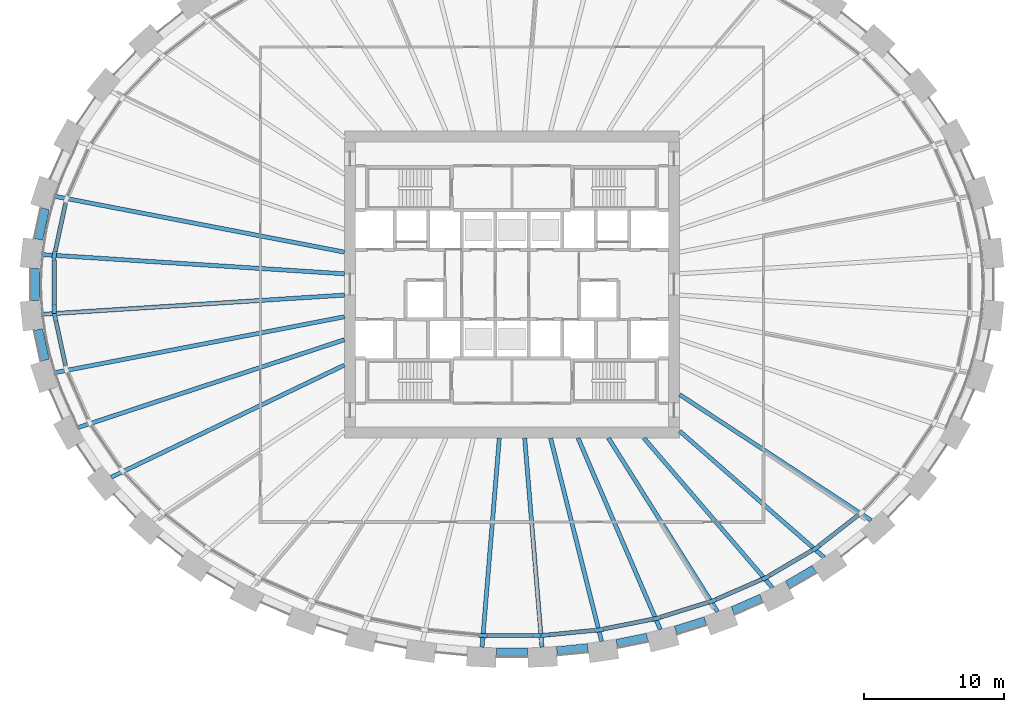
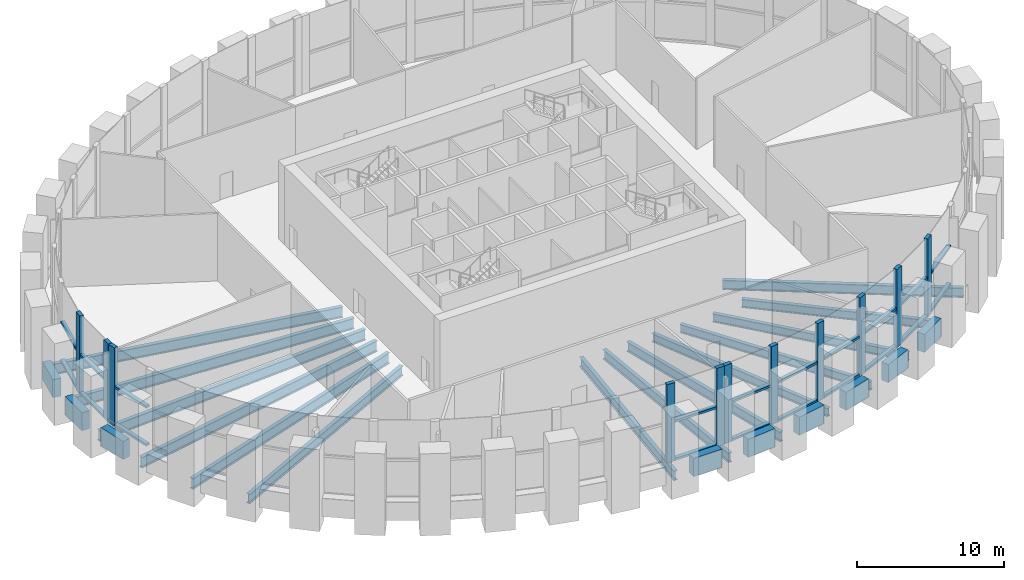
# One storey, part 2 of 16: 31 members, 23 beams, 3 elements without a shape of their own.
"""IFC4 building model written with IfcOpenShell, lengths in metres."""

from ifc_helpers import new_model, si_unit, direction, frame, origin, origin_2d, place, context, subcontext, project, spatial, rectangle, i_section, extrude, source, transform, mapped, material, material_profile, profile_set, type_object, element, aggregate, save


model = new_model("IFC4")

# Units and contexts
model_context = context("Model", 3, precision=1e-05, world=origin(), true_north=direction((0.0, 1.0)))
body_context = subcontext(model_context, "Body", "Model", "MODEL_VIEW")
ifc_project = project(units=[si_unit("LENGTHUNIT", "METRE"), si_unit("AREAUNIT", "SQUARE_METRE"), si_unit("VOLUMEUNIT", "CUBIC_METRE"), si_unit("PLANEANGLEUNIT", "RADIAN"), si_unit("MASSUNIT", "GRAM", prefix="KILO")], contexts=[model_context])

# Site, building, storey
site_placement = place(None, origin())
site = spatial("IfcSite", under=ifc_project, at=site_placement, CompositionType="ELEMENT")
building_placement = place(site_placement, origin())
building = spatial("IfcBuilding", under=site, at=building_placement, Name="Embergate Tower", CompositionType="ELEMENT")
storey_placement = place(building_placement, frame((0.0, 0.0, 234.60009765625)))
storey = spatial("IfcBuildingStorey", under=building, at=storey_placement, Name="L54", CompositionType="ELEMENT", Elevation=234.60009765625)

# Beams
ifc_material_1 = material(Name="Concrete C60", Category="concrete")
ifc_material_profile_1 = material_profile(ifc_material_1, rectangle(XDim=0.60009765625, YDim=1.5, at=origin_2d()), Name="RC 600x1500")
ifc_profile_set_1 = profile_set([ifc_material_profile_1], Name="Concrete C60")
beam_type_1 = type_object("IfcBeamType", Name="Spandrel beam RC 600x1500 C60", PredefinedType="BEAM", material=ifc_profile_set_1)
shared_shape_1 = source(origin(), body_context, "Body", "SweptSolid", [
    extrude(rectangle(XDim=0.60009765625, YDim=1.5, at=origin_2d()), origin(), (0.0, 0.0, 1.0), 2.256591796875),
])
for number, where, z_axis, x_axis, name in (
    (1, (-33.419921875, 5.423095703125, 0.0), (-0.210533806933, -0.977586577311, 0.0), (0.977586577311, -0.210533806933, 0.0), "SPN-L54-20"),
    (2, (-33.89501953125, -3.217041015625, 0.0), (0.210533806933, -0.977586577311, 0.0), (0.977586577311, 0.210533806933, 0.0), "SPN-L54-22"),
):
    element("IfcBeam", number, at=place(storey_placement, frame(where, z_axis=z_axis, x_axis=x_axis)), inside=storey, type_object=beam_type_1, Name=name, PredefinedType="BEAM", context=body_context, shape_type="MappedRepresentation", body=[
        mapped(shared_shape_1, transform((0.0, 0.0, 0.0))),
    ])
shared_shape_2 = source(origin(), body_context, "Body", "SweptSolid", [
    extrude(rectangle(XDim=0.60009765625, YDim=1.5, at=origin_2d()), origin(), (0.0, 0.0, 1.0), 2.230224609375),
])
beam_1_placement = place(storey_placement, frame((19.717041015625, -21.501953125, 0.0), z_axis=(0.862170504971, 0.506618219528, 0.0), x_axis=(-0.506618219528, 0.862170504971, 0.0)))
element("IfcBeam", 3, at=beam_1_placement, inside=storey, type_object=beam_type_1, Name="SPN-L54-37", PredefinedType="BEAM", context=body_context, shape_type="MappedRepresentation", body=[
    mapped(shared_shape_2, transform((0.0, 0.0, 0.0))),
])
shared_shape_3 = source(origin(), body_context, "Body", "SweptSolid", [
    extrude(rectangle(XDim=0.60009765625, YDim=1.5, at=origin_2d()), origin(), (0.0, 0.0, 1.0), 2.2275390625),
])
beam_2_placement = place(storey_placement, frame((15.805908203125, -23.34912109375, 0.0), z_axis=(0.916298147751, 0.400496821995, 0.0), x_axis=(-0.400496821995, 0.916298147751, 0.0)))
element("IfcBeam", 4, at=beam_2_placement, inside=storey, type_object=beam_type_1, Name="SPN-L54-36", PredefinedType="BEAM", context=body_context, shape_type="MappedRepresentation", body=[
    mapped(shared_shape_3, transform((0.0, 0.0, 0.0))),
])
shared_shape_4 = source(origin(), body_context, "Body", "SweptSolid", [
    extrude(rectangle(XDim=0.60009765625, YDim=1.5, at=origin_2d()), origin(), (0.0, 0.0, 1.0), 2.225830078125),
])
beam_3_placement = place(storey_placement, frame((11.714111328125, -24.7451171875, 0.0), z_axis=(0.954729467786, 0.297475449981, 0.0), x_axis=(-0.297475449981, 0.954729467786, 0.0)))
element("IfcBeam", 5, at=beam_3_placement, inside=storey, type_object=beam_type_1, Name="SPN-L54-35", PredefinedType="BEAM", context=body_context, shape_type="MappedRepresentation", body=[
    mapped(shared_shape_4, transform((0.0, 0.0, 0.0))),
])
shared_shape_5 = source(origin(), body_context, "Body", "SweptSolid", [
    extrude(rectangle(XDim=0.60009765625, YDim=1.5, at=origin_2d()), origin(), (0.0, 0.0, 1.0), 2.223388671875),
])
beam_4_placement = place(storey_placement, frame((7.4990234375, -25.701904296875, 0.0), z_axis=(0.980491882867, 0.196559577817, 0.0), x_axis=(-0.196559577817, 0.980491882867, 0.0)))
element("IfcBeam", 6, at=beam_4_placement, inside=storey, type_object=beam_type_1, Name="SPN-L54-34", PredefinedType="BEAM", context=body_context, shape_type="MappedRepresentation", body=[
    mapped(shared_shape_5, transform((0.0, 0.0, 0.0))),
])
shared_shape_6 = source(origin(), body_context, "Body", "SweptSolid", [
    extrude(rectangle(XDim=0.60009765625, YDim=1.5, at=origin_2d()), origin(), (0.0, 0.0, 1.0), 2.223876953125),
])
beam_5_placement = place(storey_placement, frame((3.208984375, -26.22900390625, 0.0), z_axis=(0.99518284786, 0.098036214356, 0.0), x_axis=(-0.098036214356, 0.99518284786, 0.0)))
element("IfcBeam", 7, at=beam_5_placement, inside=storey, type_object=beam_type_1, Name="SPN-L54-33", PredefinedType="BEAM", context=body_context, shape_type="MappedRepresentation", body=[
    mapped(shared_shape_6, transform((0.0, 0.0, 0.0))),
])
shared_shape_7 = source(origin(), body_context, "Body", "SweptSolid", [
    extrude(rectangle(XDim=0.60009765625, YDim=1.5, at=origin_2d()), origin(), (0.0, 0.0, 1.0), 2.22216796875),
])
beam_6_placement = place(storey_placement, frame((-1.111083984375, -26.33203125, 0.0), z_axis=(1.0, 0.0, 0.0), x_axis=(0.0, 1.0, 0.0)))
element("IfcBeam", 8, at=beam_6_placement, inside=storey, type_object=beam_type_1, Name="SPN-L54-32", PredefinedType="BEAM", context=body_context, shape_type="MappedRepresentation", body=[
    mapped(shared_shape_7, transform((0.0, 0.0, 0.0))),
])
shared_shape_8 = source(origin(), body_context, "Body", "SweptSolid", [
    extrude(rectangle(XDim=0.60009765625, YDim=1.5, at=origin_2d()), origin(), (0.0, 0.0, 1.0), 2.26220703125),
])
beam_7_placement = place(storey_placement, frame((-34.136962890625, 1.131103515625, 0.0), z_axis=(0.0, -1.0, 0.0), x_axis=(1.0, 0.0, 0.0)))
element("IfcBeam", 9, at=beam_7_placement, inside=storey, type_object=beam_type_1, Name="SPN-L54-21", PredefinedType="BEAM", context=body_context, shape_type="MappedRepresentation", body=[
    mapped(shared_shape_8, transform((0.0, 0.0, 0.0))),
])
ifc_material_2 = material(Name="Steel Q355B", Category="steel")
ifc_material_profile_2 = material_profile(ifc_material_2, i_section(OverallWidth=0.300048828125, OverallDepth=0.89990234375, WebThickness=0.01611328125, FlangeThickness=0.028076171875, FilletRadius=0.028076171875, at=origin_2d()), Name="HN 900x300x16x28")
ifc_profile_set_2 = profile_set([ifc_material_profile_2], Name="Steel Q355 grade B")
beam_type_2 = type_object("IfcBeamType", Name="Radial girder HN 900x300x16x28", PredefinedType="BEAM", material=ifc_profile_set_2)
shared_shape_9 = source(origin(), body_context, "Body", "SweptSolid", [
    extrude(i_section(OverallWidth=0.300048828125, OverallDepth=0.89990234375, WebThickness=0.01611328125, FlangeThickness=0.028076171875, FilletRadius=0.028076171875, at=origin_2d()), origin(), (0.0, 0.0, 1.0), 21.7607421875),
])
for number, where, z_axis, x_axis, name in (
    (10, (-33.717041015625, 2.14208984375, -0.75), (0.997986768436, -0.063422472564, 0.0), (0.063422472564, 0.997986768436, 0.0), "GIR-L54-21"),
    (11, (-33.717041015625, -2.14208984375, -0.75), (0.997986768436, 0.063422472564, 0.0), (-0.063422472564, 0.997986768436, 0.0), "GIR-L54-22"),
):
    element("IfcBeam", number, at=place(storey_placement, frame(where, z_axis=z_axis, x_axis=x_axis)), inside=storey, type_object=beam_type_2, Name=name, PredefinedType="BEAM", context=body_context, shape_type="MappedRepresentation", body=[
        mapped(shared_shape_9, transform((0.0, 0.0, 0.0))),
    ])
shared_shape_10 = source(origin(), body_context, "Body", "SweptSolid", [
    extrude(i_section(OverallWidth=0.300048828125, OverallDepth=0.89990234375, WebThickness=0.01611328125, FlangeThickness=0.028076171875, FilletRadius=0.028076171875, at=origin_2d()), origin(), (0.0, 0.0, 1.0), 21.19873046875),
])
for number, where, z_axis, x_axis, name in (
    (12, (-32.81494140625, 6.330078125, -0.75), (0.981899006526, -0.189405229554, 0.0), (0.189405229554, 0.981899006526, 0.0), "GIR-L54-20"),
    (13, (-32.81494140625, -6.330078125, -0.75), (0.981899006526, 0.189405229554, 0.0), (-0.189405229554, 0.981899006526, 0.0), "GIR-L54-23"),
):
    element("IfcBeam", number, at=place(storey_placement, frame(where, z_axis=z_axis, x_axis=x_axis)), inside=storey, type_object=beam_type_2, Name=name, PredefinedType="BEAM", context=body_context, shape_type="MappedRepresentation", body=[
        mapped(shared_shape_10, transform((0.0, 0.0, 0.0))),
    ])
shared_shape_11 = source(origin(), body_context, "Body", "SweptSolid", [
    extrude(i_section(OverallWidth=0.300048828125, OverallDepth=0.89990234375, WebThickness=0.01611328125, FlangeThickness=0.028076171875, FilletRadius=0.028076171875, at=origin_2d()), origin(), (0.0, 0.0, 1.0), 20.1064453125),
])
beam_8_placement = place(storey_placement, frame((-31.094970703125, -10.25390625, -0.75), z_axis=(0.949694718682, 0.313177172391, 0.0), x_axis=(-0.313177172391, 0.949694718682, 0.0)))
element("IfcBeam", 14, at=beam_8_placement, inside=storey, type_object=beam_type_2, Name="GIR-L54-24", PredefinedType="BEAM", context=body_context, shape_type="MappedRepresentation", body=[
    mapped(shared_shape_11, transform((0.0, 0.0, 0.0))),
])
ifc_material_profile_3 = material_profile(ifc_material_2, i_section(OverallWidth=0.300048828125, OverallDepth=0.800048828125, WebThickness=0.013916015625, FlangeThickness=0.02587890625, FilletRadius=0.028076171875, at=origin_2d()), Name="HN 800x300x14x26")
ifc_profile_set_3 = profile_set([ifc_material_profile_3], Name="Steel Q355 grade B")
beam_type_3 = type_object("IfcBeamType", Name="Radial girder HN 800x300x14x26", PredefinedType="BEAM", material=ifc_profile_set_3)
shared_shape_12 = source(origin(), body_context, "Body", "SweptSolid", [
    extrude(i_section(OverallWidth=0.300048828125, OverallDepth=0.800048828125, WebThickness=0.013916015625, FlangeThickness=0.02587890625, FilletRadius=0.028076171875, at=origin_2d()), origin(), (0.0, 0.0, 1.0), 18.51513671875),
])
beam_9_placement = place(storey_placement, frame((-28.68505859375, -13.799072265625, -0.7001953125), z_axis=(0.901158330665, 0.433490095704, 0.0), x_axis=(-0.433490095704, 0.901158330665, 0.0)))
element("IfcBeam", 15, at=beam_9_placement, inside=storey, type_object=beam_type_3, Name="GIR-L54-25", PredefinedType="BEAM", context=body_context, shape_type="MappedRepresentation", body=[
    mapped(shared_shape_12, transform((0.0, 0.0, 0.0))),
])
shared_shape_13 = source(origin(), body_context, "Body", "SweptSolid", [
    extrude(i_section(OverallWidth=0.300048828125, OverallDepth=0.800048828125, WebThickness=0.013916015625, FlangeThickness=0.02587890625, FilletRadius=0.028076171875, at=origin_2d()), origin(), (0.0, 0.0, 1.0), 16.423583984375),
])
beam_10_placement = place(storey_placement, frame((25.72607421875, -16.902099609375, -0.7001953125), z_axis=(-0.835759275687, 0.549096014466, 0.0), x_axis=(-0.549096014466, -0.835759275687, 0.0)))
element("IfcBeam", 16, at=beam_10_placement, inside=storey, type_object=beam_type_3, Name="GIR-L54-39", PredefinedType="BEAM", context=body_context, shape_type="MappedRepresentation", body=[
    mapped(shared_shape_13, transform((0.0, 0.0, 0.0))),
])
ifc_material_profile_4 = material_profile(ifc_material_2, i_section(OverallWidth=0.300048828125, OverallDepth=0.699951171875, WebThickness=0.012939453125, FlangeThickness=0.02392578125, FilletRadius=0.01806640625, at=origin_2d()), Name="HN 700x300x13x24")
ifc_profile_set_4 = profile_set([ifc_material_profile_4], Name="Steel Q355 grade B")
beam_type_4 = type_object("IfcBeamType", Name="Radial girder HN 700x300x13x24", PredefinedType="BEAM", material=ifc_profile_set_4)
shared_shape_14 = source(origin(), body_context, "Body", "SweptSolid", [
    extrude(i_section(OverallWidth=0.300048828125, OverallDepth=0.699951171875, WebThickness=0.012939453125, FlangeThickness=0.02392578125, FilletRadius=0.01806640625, at=origin_2d()), origin(), (0.0, 0.0, 1.0), 13.742431640625),
])
beam_11_placement = place(storey_placement, frame((22.344970703125, -19.5400390625, -0.650146484375), z_axis=(-0.75278245611, 0.658269377818, 0.0), x_axis=(-0.658269377818, -0.75278245611, 0.0)))
element("IfcBeam", 17, at=beam_11_placement, inside=storey, type_object=beam_type_4, Name="GIR-L54-38", PredefinedType="BEAM", context=body_context, shape_type="MappedRepresentation", body=[
    mapped(shared_shape_14, transform((0.0, 0.0, 0.0))),
])
shared_shape_15 = source(origin(), body_context, "Body", "SweptSolid", [
    extrude(i_section(OverallWidth=0.300048828125, OverallDepth=0.699951171875, WebThickness=0.012939453125, FlangeThickness=0.02392578125, FilletRadius=0.01806640625, at=origin_2d()), origin(), (0.0, 0.0, 1.0), 14.12255859375),
])
beam_12_placement = place(storey_placement, frame((18.64697265625, -21.714111328125, -0.650146484375), z_axis=(-0.651501489493, 0.75864735496, 0.0), x_axis=(-0.75864735496, -0.651501489493, 0.0)))
element("IfcBeam", 18, at=beam_12_placement, inside=storey, type_object=beam_type_4, Name="GIR-L54-37", PredefinedType="BEAM", context=body_context, shape_type="MappedRepresentation", body=[
    mapped(shared_shape_15, transform((0.0, 0.0, 0.0))),
])
shared_shape_16 = source(origin(), body_context, "Body", "SweptSolid", [
    extrude(i_section(OverallWidth=0.300048828125, OverallDepth=0.699951171875, WebThickness=0.012939453125, FlangeThickness=0.02392578125, FilletRadius=0.01806640625, at=origin_2d()), origin(), (0.0, 0.0, 1.0), 14.681640625),
])
beam_13_placement = place(storey_placement, frame((14.717041015625, -23.43310546875, -0.650146484375), z_axis=(-0.531830261052, 0.846850974747, 0.0), x_axis=(-0.846850974747, -0.531830261052, 0.0)))
element("IfcBeam", 19, at=beam_13_placement, inside=storey, type_object=beam_type_4, Name="GIR-L54-36", PredefinedType="BEAM", context=body_context, shape_type="MappedRepresentation", body=[
    mapped(shared_shape_16, transform((0.0, 0.0, 0.0))),
])
shared_shape_17 = source(origin(), body_context, "Body", "SweptSolid", [
    extrude(i_section(OverallWidth=0.300048828125, OverallDepth=0.699951171875, WebThickness=0.012939453125, FlangeThickness=0.02392578125, FilletRadius=0.01806640625, at=origin_2d()), origin(), (0.0, 0.0, 1.0), 14.921630859375),
])
beam_14_placement = place(storey_placement, frame((10.62109375, -24.708984375, -0.650146484375), z_axis=(-0.394870881209, 0.918736625575, 0.0), x_axis=(-0.918736625575, -0.394870881209, 0.0)))
element("IfcBeam", 20, at=beam_14_placement, inside=storey, type_object=beam_type_4, Name="GIR-L54-35", PredefinedType="BEAM", context=body_context, shape_type="MappedRepresentation", body=[
    mapped(shared_shape_17, transform((0.0, 0.0, 0.0))),
])
shared_shape_18 = source(origin(), body_context, "Body", "SweptSolid", [
    extrude(i_section(OverallWidth=0.300048828125, OverallDepth=0.800048828125, WebThickness=0.013916015625, FlangeThickness=0.02587890625, FilletRadius=0.028076171875, at=origin_2d()), origin(), (0.0, 0.0, 1.0), 15.00341796875),
])
beam_15_placement = place(storey_placement, frame((6.4150390625, -25.552001953125, -0.7001953125), z_axis=(-0.243481212882, 0.969905613435, 0.0), x_axis=(-0.969905613435, -0.243481212882, 0.0)))
element("IfcBeam", 21, at=beam_15_placement, inside=storey, type_object=beam_type_3, Name="GIR-L54-34", PredefinedType="BEAM", context=body_context, shape_type="MappedRepresentation", body=[
    mapped(shared_shape_18, transform((0.0, 0.0, 0.0))),
])
shared_shape_19 = source(origin(), body_context, "Body", "SweptSolid", [
    extrude(i_section(OverallWidth=0.300048828125, OverallDepth=0.800048828125, WebThickness=0.013916015625, FlangeThickness=0.02587890625, FilletRadius=0.028076171875, at=origin_2d()), origin(), (0.0, 0.0, 1.0), 15.02294921875),
])
for number, where, z_axis, x_axis, name in (
    (22, (-2.14501953125, -25.971923828125, -0.7001953125), (0.08234475307, 0.996603904087, 0.0), (-0.996603904087, 0.08234475307, 0.0), "GIR-L54-32"),
    (23, (2.14501953125, -25.971923828125, -0.7001953125), (-0.08234475307, 0.996603904087, 0.0), (-0.996603904087, -0.08234475307, 0.0), "GIR-L54-33"),
):
    element("IfcBeam", number, at=place(storey_placement, frame(where, z_axis=z_axis, x_axis=x_axis)), inside=storey, type_object=beam_type_3, Name=name, PredefinedType="BEAM", context=body_context, shape_type="MappedRepresentation", body=[
        mapped(shared_shape_19, transform((0.0, 0.0, 0.0))),
    ])

# Curtain wall, members
ifc_material_3 = material(Name="Aluminium and glass", Category="aluminium")
curtain_wall_type = type_object("IfcCurtainWallType", Name="Sky lobby high glazing", PredefinedType="NOTDEFINED", material=ifc_material_3)
curtain_wall_1_placement = place(storey_placement, origin())
curtain_wall_1 = element("IfcCurtainWall", 24, at=curtain_wall_1_placement, inside=storey, type_object=curtain_wall_type, Name="Sky lobby high glazing run 2", ObjectType="SKY LOBBY HIGH GLAZING", PredefinedType="USERDEFINED")
ifc_material_4 = material(Name="Aluminium, thermally broken", Category="aluminium")
ifc_material_profile_5 = material_profile(ifc_material_4, rectangle(XDim=0.300048828125, YDim=0.60009765625, at=origin_2d()), Name="AL 600x300")
ifc_profile_set_5 = profile_set([ifc_material_profile_5], Name="Aluminium, thermally broken")
member_type_1 = type_object("IfcMemberType", Name="Sky lobby mullion", PredefinedType="MULLION", material=ifc_profile_set_5)
shared_shape_20 = source(origin(), body_context, "Body", "SweptSolid", [
    extrude(rectangle(XDim=0.300048828125, YDim=0.60009765625, at=origin_2d()), origin(), (0.0, 0.0, 1.0), 6.5),
])
member_1_placement = place(storey_placement, frame((-32.767578125, 2.06201171875, 0.0), z_axis=(0.0, 0.0, 1.0), x_axis=(0.994384031216, -0.105831934987, 0.0)))
member_1 = element("IfcMember", 25, at=member_1_placement, type_object=member_type_1, Name="CW mullion 11", PredefinedType="MULLION", context=body_context, shape_type="MappedRepresentation", body=[
    mapped(shared_shape_20, transform((0.0, 0.0, 0.0))),
])
member_2_placement = place(storey_placement, frame((-32.767578125, -1.761962890625, 0.0), z_axis=(0.0, 0.0, 1.0), x_axis=(1.0, 0.0, 0.0)))
member_2 = element("IfcMember", 26, at=member_2_placement, type_object=member_type_1, Name="CW mullion 12", PredefinedType="MULLION", context=body_context, shape_type="MappedRepresentation", body=[
    mapped(shared_shape_20, transform((0.0, 0.0, 0.0))),
])

curtain_wall_2_placement = place(storey_placement, origin())
curtain_wall_2 = element("IfcCurtainWall", 27, at=curtain_wall_2_placement, inside=storey, type_object=curtain_wall_type, Name="Sky lobby high glazing run 3", ObjectType="SKY LOBBY HIGH GLAZING", PredefinedType="USERDEFINED")
member_3_placement = place(storey_placement, frame((-32.704345703125, -2.355224609375, 0.0), z_axis=(0.0, 0.0, 1.0), x_axis=(0.977614996305, 0.210401803698, 0.0)))
member_3 = element("IfcMember", 28, at=member_3_placement, type_object=member_type_1, Name="CW mullion 1", PredefinedType="MULLION", context=body_context, shape_type="MappedRepresentation", body=[
    mapped(shared_shape_20, transform((0.0, 0.0, 0.0))),
])
member_4_placement = place(storey_placement, frame((-2.09130859375, -25.135986328125, 0.0), z_axis=(0.0, 0.0, 1.0), x_axis=(0.048970053385, 0.998800247232, 0.0)))
member_4 = element("IfcMember", 29, at=member_4_placement, type_object=member_type_1, Name="CW mullion 11", PredefinedType="MULLION", context=body_context, shape_type="MappedRepresentation", body=[
    mapped(shared_shape_20, transform((0.0, 0.0, 0.0))),
])
member_5_placement = place(storey_placement, frame((1.791259765625, -25.135986328125, 0.0), z_axis=(0.0, 0.0, 1.0), x_axis=(0.0, 1.0, 0.0)))
member_5 = element("IfcMember", 30, at=member_5_placement, type_object=member_type_1, Name="CW mullion 12", PredefinedType="MULLION", context=body_context, shape_type="MappedRepresentation", body=[
    mapped(shared_shape_20, transform((0.0, 0.0, 0.0))),
])

curtain_wall_3_placement = place(storey_placement, origin())
curtain_wall_3 = element("IfcCurtainWall", 31, at=curtain_wall_3_placement, inside=storey, type_object=curtain_wall_type, Name="Sky lobby high glazing run 4", ObjectType="SKY LOBBY HIGH GLAZING", PredefinedType="USERDEFINED")
member_6_placement = place(storey_placement, frame((2.389892578125, -25.106689453125, 0.0), z_axis=(0.0, 0.0, 1.0), x_axis=(-0.097829550688, 0.995203184788, 0.0)))
member_6 = element("IfcMember", 32, at=member_6_placement, type_object=member_type_1, Name="CW mullion 1", PredefinedType="MULLION", context=body_context, shape_type="MappedRepresentation", body=[
    mapped(shared_shape_20, transform((0.0, 0.0, 0.0))),
])
member_7_placement = place(storey_placement, frame((6.253173828125, -24.726806640625, 0.0), z_axis=(0.0, 0.0, 1.0), x_axis=(-0.147410656556, 0.989075375456, 0.0)))
member_7 = element("IfcMember", 33, at=member_7_placement, type_object=member_type_1, Name="CW mullion 2", PredefinedType="MULLION", context=body_context, shape_type="MappedRepresentation", body=[
    mapped(shared_shape_20, transform((0.0, 0.0, 0.0))),
])
member_8_placement = place(storey_placement, frame((10.351806640625, -23.90478515625, 0.0), z_axis=(0.0, 0.0, 1.0), x_axis=(-0.247308499144, 0.96893679167, 0.0)))
member_8 = element("IfcMember", 34, at=member_8_placement, type_object=member_type_1, Name="CW mullion 3", PredefinedType="MULLION", context=body_context, shape_type="MappedRepresentation", body=[
    mapped(shared_shape_20, transform((0.0, 0.0, 0.0))),
])
member_9_placement = place(storey_placement, frame((14.341064453125, -22.66259765625, 0.0), z_axis=(0.0, 0.0, 1.0), x_axis=(-0.349497777064, 0.936937193107, 0.0)))
member_9 = element("IfcMember", 35, at=member_9_placement, type_object=member_type_1, Name="CW mullion 4", PredefinedType="MULLION", context=body_context, shape_type="MappedRepresentation", body=[
    mapped(shared_shape_20, transform((0.0, 0.0, 0.0))),
])
member_10_placement = place(storey_placement, frame((18.16552734375, -20.989990234375, 0.0), z_axis=(0.0, 0.0, 1.0), x_axis=(-0.454503607328, 0.89074489666, 0.0)))
member_10 = element("IfcMember", 36, at=member_10_placement, type_object=member_type_1, Name="CW mullion 5", PredefinedType="MULLION", context=body_context, shape_type="MappedRepresentation", body=[
    mapped(shared_shape_20, transform((0.0, 0.0, 0.0))),
])
member_11_placement = place(storey_placement, frame((21.759765625, -18.877197265625, 0.0), z_axis=(0.0, 0.0, 1.0), x_axis=(-0.562207514921, 0.82699619719, 0.0)))
member_11 = element("IfcMember", 37, at=member_11_placement, type_object=member_type_1, Name="CW mullion 6", PredefinedType="MULLION", context=body_context, shape_type="MappedRepresentation", body=[
    mapped(shared_shape_20, transform((0.0, 0.0, 0.0))),
])

# Member
ifc_material_profile_6 = material_profile(ifc_material_4, rectangle(XDim=0.300048828125, YDim=0.179931640625, at=origin_2d()), Name="AL 180x300")
ifc_profile_set_6 = profile_set([ifc_material_profile_6], Name="Aluminium, thermally broken")
member_type_2 = type_object("IfcMemberType", Name="Sky lobby transom", PredefinedType="USERDEFINED", material=ifc_profile_set_6)
shared_shape_21 = source(origin(), body_context, "Body", "SweptSolid", [
    extrude(rectangle(XDim=0.300048828125, YDim=0.179931640625, at=origin_2d()), origin(), (0.0, 0.0, 1.0), 3.226806640625),
])
member_12_placement = place(storey_placement, frame((-32.641357421875, -2.6484375, 0.08984375), z_axis=(0.210412573231, -0.97761267843, 0.0), x_axis=(0.97761267843, 0.210412573231, 0.0)))
member_12 = element("IfcMember", 38, at=member_12_placement, type_object=member_type_2, Name="CW transom 1.1", ObjectType="TRANSOM", PredefinedType="USERDEFINED", context=body_context, shape_type="MappedRepresentation", body=[
    mapped(shared_shape_21, transform((0.0, 0.0, 0.0))),
])

member_13_placement = place(storey_placement, frame((-32.641357421875, -2.6484375, 3.25), z_axis=(0.210412573231, -0.97761267843, 0.0), x_axis=(0.97761267843, 0.210412573231, 0.0)))
member_13 = element("IfcMember", 39, at=member_13_placement, type_object=member_type_2, Name="CW transom 1.2", ObjectType="TRANSOM", PredefinedType="USERDEFINED", context=body_context, shape_type="MappedRepresentation", body=[
    mapped(shared_shape_21, transform((0.0, 0.0, 0.0))),
])

shared_shape_22 = source(origin(), body_context, "Body", "SweptSolid", [
    extrude(rectangle(XDim=0.300048828125, YDim=0.179931640625, at=origin_2d()), origin(), (0.0, 0.0, 1.0), 3.562255859375),
])
member_14_placement = place(storey_placement, frame((21.99609375, -18.6923828125, 0.08984375), z_axis=(0.78834740186, 0.615230342214, 0.0), x_axis=(-0.615230342214, 0.78834740186, 0.0)))
member_14 = element("IfcMember", 40, at=member_14_placement, type_object=member_type_2, Name="CW transom 6.1", ObjectType="TRANSOM", PredefinedType="USERDEFINED", context=body_context, shape_type="MappedRepresentation", body=[
    mapped(shared_shape_22, transform((0.0, 0.0, 0.0))),
])

member_15_placement = place(storey_placement, frame((21.99609375, -18.6923828125, 3.25), z_axis=(0.78834740186, 0.615230342214, 0.0), x_axis=(-0.615230342214, 0.78834740186, 0.0)))
member_15 = element("IfcMember", 41, at=member_15_placement, type_object=member_type_2, Name="CW transom 6.2", ObjectType="TRANSOM", PredefinedType="USERDEFINED", context=body_context, shape_type="MappedRepresentation", body=[
    mapped(shared_shape_22, transform((0.0, 0.0, 0.0))),
])

shared_shape_23 = source(origin(), body_context, "Body", "SweptSolid", [
    extrude(rectangle(XDim=0.300048828125, YDim=0.179931640625, at=origin_2d()), origin(), (0.0, 0.0, 1.0), 3.5693359375),
])
member_16_placement = place(storey_placement, frame((18.42431640625, -20.838134765625, 0.08984375), z_axis=(0.86203969711, 0.506840764547, 0.0), x_axis=(-0.506840764547, 0.86203969711, 0.0)))
member_16 = element("IfcMember", 42, at=member_16_placement, type_object=member_type_2, Name="CW transom 5.1", ObjectType="TRANSOM", PredefinedType="USERDEFINED", context=body_context, shape_type="MappedRepresentation", body=[
    mapped(shared_shape_23, transform((0.0, 0.0, 0.0))),
])

member_17_placement = place(storey_placement, frame((18.42431640625, -20.838134765625, 3.25), z_axis=(0.86203969711, 0.506840764547, 0.0), x_axis=(-0.506840764547, 0.86203969711, 0.0)))
member_17 = element("IfcMember", 43, at=member_17_placement, type_object=member_type_2, Name="CW transom 5.2", ObjectType="TRANSOM", PredefinedType="USERDEFINED", context=body_context, shape_type="MappedRepresentation", body=[
    mapped(shared_shape_23, transform((0.0, 0.0, 0.0))),
])

shared_shape_24 = source(origin(), body_context, "Body", "SweptSolid", [
    extrude(rectangle(XDim=0.300048828125, YDim=0.179931640625, at=origin_2d()), origin(), (0.0, 0.0, 1.0), 3.573974609375),
])
member_18_placement = place(storey_placement, frame((14.615966796875, -22.542236328125, 0.08984375), z_axis=(0.916237272554, 0.400636069748, 0.0), x_axis=(-0.400636069748, 0.916237272554, 0.0)))
member_18 = element("IfcMember", 44, at=member_18_placement, type_object=member_type_2, Name="CW transom 4.1", ObjectType="TRANSOM", PredefinedType="USERDEFINED", context=body_context, shape_type="MappedRepresentation", body=[
    mapped(shared_shape_24, transform((0.0, 0.0, 0.0))),
])

member_19_placement = place(storey_placement, frame((14.615966796875, -22.542236328125, 3.25), z_axis=(0.916237272554, 0.400636069748, 0.0), x_axis=(-0.400636069748, 0.916237272554, 0.0)))
member_19 = element("IfcMember", 45, at=member_19_placement, type_object=member_type_2, Name="CW transom 4.2", ObjectType="TRANSOM", PredefinedType="USERDEFINED", context=body_context, shape_type="MappedRepresentation", body=[
    mapped(shared_shape_24, transform((0.0, 0.0, 0.0))),
])

shared_shape_25 = source(origin(), body_context, "Body", "SweptSolid", [
    extrude(rectangle(XDim=0.300048828125, YDim=0.179931640625, at=origin_2d()), origin(), (0.0, 0.0, 1.0), 3.577880859375),
])
member_20_placement = place(storey_placement, frame((10.638427734375, -23.815673828125, 0.08984375), z_axis=(0.954761239302, 0.297373462041, 0.0), x_axis=(-0.297373462041, 0.954761239302, 0.0)))
member_20 = element("IfcMember", 46, at=member_20_placement, type_object=member_type_2, Name="CW transom 3.1", ObjectType="TRANSOM", PredefinedType="USERDEFINED", context=body_context, shape_type="MappedRepresentation", body=[
    mapped(shared_shape_25, transform((0.0, 0.0, 0.0))),
])

member_21_placement = place(storey_placement, frame((10.638427734375, -23.815673828125, 3.25), z_axis=(0.954761239302, 0.297373462041, 0.0), x_axis=(-0.297373462041, 0.954761239302, 0.0)))
member_21 = element("IfcMember", 47, at=member_21_placement, type_object=member_type_2, Name="CW transom 3.2", ObjectType="TRANSOM", PredefinedType="USERDEFINED", context=body_context, shape_type="MappedRepresentation", body=[
    mapped(shared_shape_25, transform((0.0, 0.0, 0.0))),
])

shared_shape_26 = source(origin(), body_context, "Body", "SweptSolid", [
    extrude(rectangle(XDim=0.300048828125, YDim=0.179931640625, at=origin_2d()), origin(), (0.0, 0.0, 1.0), 3.58056640625),
])
member_22_placement = place(storey_placement, frame((6.547119140625, -24.667724609375, 0.08984375), z_axis=(0.980488781874, 0.196575045768, 0.0), x_axis=(-0.196575045768, 0.980488781874, 0.0)))
member_22 = element("IfcMember", 48, at=member_22_placement, type_object=member_type_2, Name="CW transom 2.1", ObjectType="TRANSOM", PredefinedType="USERDEFINED", context=body_context, shape_type="MappedRepresentation", body=[
    mapped(shared_shape_26, transform((0.0, 0.0, 0.0))),
])

member_23_placement = place(storey_placement, frame((6.547119140625, -24.667724609375, 3.25), z_axis=(0.980488781874, 0.196575045768, 0.0), x_axis=(-0.196575045768, 0.980488781874, 0.0)))
member_23 = element("IfcMember", 49, at=member_23_placement, type_object=member_type_2, Name="CW transom 2.2", ObjectType="TRANSOM", PredefinedType="USERDEFINED", context=body_context, shape_type="MappedRepresentation", body=[
    mapped(shared_shape_26, transform((0.0, 0.0, 0.0))),
])

shared_shape_27 = source(origin(), body_context, "Body", "SweptSolid", [
    extrude(rectangle(XDim=0.300048828125, YDim=0.179931640625, at=origin_2d()), origin(), (0.0, 0.0, 1.0), 3.282470703125),
])
member_24_placement = place(storey_placement, frame((-1.791259765625, -25.135986328125, 0.08984375), z_axis=(1.0, 0.0, 0.0), x_axis=(0.0, 1.0, 0.0)))
member_24 = element("IfcMember", 50, at=member_24_placement, type_object=member_type_2, Name="CW transom 11.1", ObjectType="TRANSOM", PredefinedType="USERDEFINED", context=body_context, shape_type="MappedRepresentation", body=[
    mapped(shared_shape_27, transform((0.0, 0.0, 0.0))),
])

member_25_placement = place(storey_placement, frame((-1.791259765625, -25.135986328125, 3.25), z_axis=(1.0, 0.0, 0.0), x_axis=(0.0, 1.0, 0.0)))
member_25 = element("IfcMember", 51, at=member_25_placement, type_object=member_type_2, Name="CW transom 11.2", ObjectType="TRANSOM", PredefinedType="USERDEFINED", context=body_context, shape_type="MappedRepresentation", body=[
    mapped(shared_shape_27, transform((0.0, 0.0, 0.0))),
])

aggregate(curtain_wall_2, [member_3, member_4, member_5, member_12, member_13, member_24, member_25])

shared_shape_28 = source(origin(), body_context, "Body", "SweptSolid", [
    extrude(rectangle(XDim=0.300048828125, YDim=0.179931640625, at=origin_2d()), origin(), (0.0, 0.0, 1.0), 3.2822265625),
])
member_26_placement = place(storey_placement, frame((2.688232421875, -25.077392578125, 0.08984375), z_axis=(0.995197173283, 0.097890685406, 0.0), x_axis=(-0.097890685406, 0.995197173283, 0.0)))
member_26 = element("IfcMember", 52, at=member_26_placement, type_object=member_type_2, Name="CW transom 1.1", ObjectType="TRANSOM", PredefinedType="USERDEFINED", context=body_context, shape_type="MappedRepresentation", body=[
    mapped(shared_shape_28, transform((0.0, 0.0, 0.0))),
])

member_27_placement = place(storey_placement, frame((2.688232421875, -25.077392578125, 3.25), z_axis=(0.995197173283, 0.097890685406, 0.0), x_axis=(-0.097890685406, 0.995197173283, 0.0)))
member_27 = element("IfcMember", 53, at=member_27_placement, type_object=member_type_2, Name="CW transom 1.2", ObjectType="TRANSOM", PredefinedType="USERDEFINED", context=body_context, shape_type="MappedRepresentation", body=[
    mapped(shared_shape_28, transform((0.0, 0.0, 0.0))),
])

aggregate(curtain_wall_3, [member_6, member_7, member_8, member_9, member_10, member_11, member_26, member_27, member_22, member_23, member_20, member_21, member_18, member_19, member_16, member_17, member_14, member_15])

shared_shape_29 = source(origin(), body_context, "Body", "SweptSolid", [
    extrude(rectangle(XDim=0.300048828125, YDim=0.179931640625, at=origin_2d()), origin(), (0.0, 0.0, 1.0), 3.526611328125),
])
member_28_placement = place(storey_placement, frame((-31.96240234375, 5.802978515625, 0.08984375), z_axis=(-0.210379991456, -0.97761969047, 0.0), x_axis=(0.97761969047, -0.210379991456, 0.0)))
member_28 = element("IfcMember", 54, at=member_28_placement, type_object=member_type_2, Name="CW transom 10.1", ObjectType="TRANSOM", PredefinedType="USERDEFINED", context=body_context, shape_type="MappedRepresentation", body=[
    mapped(shared_shape_29, transform((0.0, 0.0, 0.0))),
])

member_29_placement = place(storey_placement, frame((-31.96240234375, 5.802978515625, 3.25), z_axis=(-0.210379991456, -0.97761969047, 0.0), x_axis=(0.97761969047, -0.210379991456, 0.0)))
member_29 = element("IfcMember", 55, at=member_29_placement, type_object=member_type_2, Name="CW transom 10.2", ObjectType="TRANSOM", PredefinedType="USERDEFINED", context=body_context, shape_type="MappedRepresentation", body=[
    mapped(shared_shape_29, transform((0.0, 0.0, 0.0))),
])

shared_shape_30 = source(origin(), body_context, "Body", "SweptSolid", [
    extrude(rectangle(XDim=0.300048828125, YDim=0.179931640625, at=origin_2d()), origin(), (0.0, 0.0, 1.0), 3.223876953125),
])
member_30_placement = place(storey_placement, frame((-32.767578125, 1.761962890625, 0.08984375), z_axis=(0.0, -1.0, 0.0), x_axis=(1.0, 0.0, 0.0)))
member_30 = element("IfcMember", 56, at=member_30_placement, type_object=member_type_2, Name="CW transom 11.1", ObjectType="TRANSOM", PredefinedType="USERDEFINED", context=body_context, shape_type="MappedRepresentation", body=[
    mapped(shared_shape_30, transform((0.0, 0.0, 0.0))),
])

member_31_placement = place(storey_placement, frame((-32.767578125, 1.761962890625, 3.25), z_axis=(0.0, -1.0, 0.0), x_axis=(1.0, 0.0, 0.0)))
member_31 = element("IfcMember", 57, at=member_31_placement, type_object=member_type_2, Name="CW transom 11.2", ObjectType="TRANSOM", PredefinedType="USERDEFINED", context=body_context, shape_type="MappedRepresentation", body=[
    mapped(shared_shape_30, transform((0.0, 0.0, 0.0))),
])

aggregate(curtain_wall_1, [member_1, member_2, member_28, member_29, member_30, member_31])

save(model, "model.ifc")
